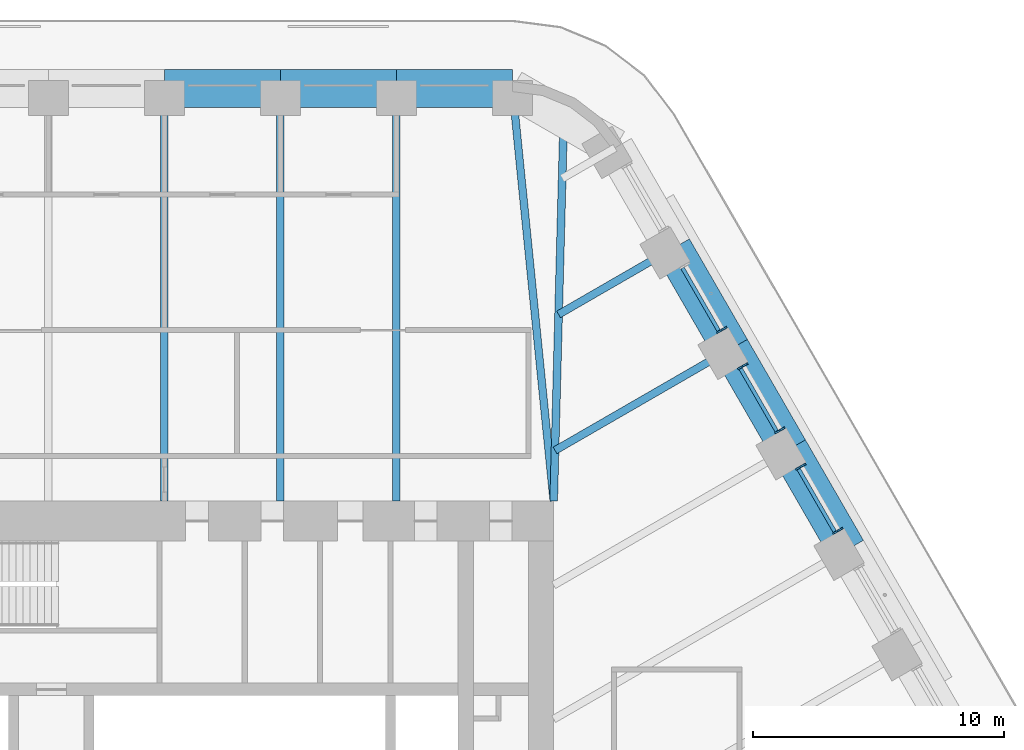
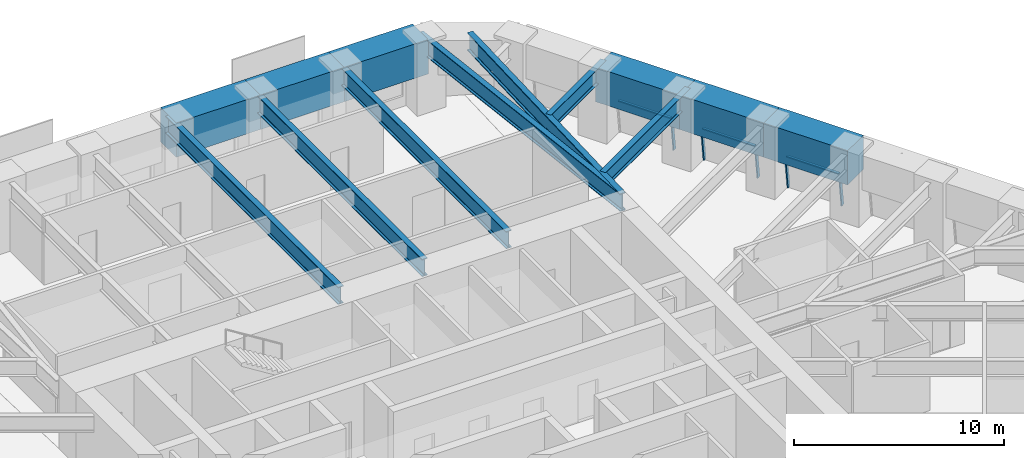
# One storey, part 11 of 20: 13 beams, 8 members, 3 elements without a shape of their own.
"""IFC4 building model written with IfcOpenShell, lengths in metres."""

from ifc_helpers import new_model, si_unit, direction, frame, origin, origin_2d, place, context, subcontext, project, spatial, rectangle, i_section, extrude, material, material_profile, profile_set, type_object, element, aggregate, save


model = new_model("IFC4")

# Units and contexts
model_context = context("Model", 3, precision=1e-05, world=origin(), true_north=direction((0.0, 1.0)))
body_context = subcontext(model_context, "Body", "Model", "MODEL_VIEW")
ifc_project = project(units=[si_unit("LENGTHUNIT", "METRE"), si_unit("AREAUNIT", "SQUARE_METRE"), si_unit("VOLUMEUNIT", "CUBIC_METRE"), si_unit("PLANEANGLEUNIT", "RADIAN"), si_unit("MASSUNIT", "GRAM", prefix="KILO")], contexts=[model_context])

# Site, building, storey
site_placement = place(None, origin())
site = spatial("IfcSite", under=ifc_project, at=site_placement, CompositionType="ELEMENT")
building_placement = place(site_placement, origin())
building = spatial("IfcBuilding", under=site, at=building_placement, Name="Tarfa Lantern Tower", CompositionType="ELEMENT")
storey_placement = place(building_placement, frame((0.0, 0.0, 228.10009765625)))
storey = spatial("IfcBuildingStorey", under=building, at=storey_placement, Name="L51", CompositionType="ELEMENT", Elevation=228.10009765625)

# Curtain wall, members
ifc_material_1 = material(Name="Aluminium framed curtain wall", Category="aluminium")
curtain_wall_type = type_object("IfcCurtainWallType", Name="CW3 CANTED GLAZING HIGH ZONE 2000", PredefinedType="USERDEFINED", material=ifc_material_1)
curtain_wall_1_placement = place(storey_placement, origin())
curtain_wall_1 = element("IfcCurtainWall", 1, at=curtain_wall_1_placement, inside=storey, type_object=curtain_wall_type, Name="CW3 NE L51", ObjectType="CURTAIN WALL", PredefinedType="USERDEFINED")
ifc_material_2 = material(Name="Aluminium mullion", Category="aluminium")
ifc_material_profile_1 = material_profile(ifc_material_2, rectangle(XDim=0.06494140625, YDim=0.199951171875, at=origin_2d()), Name="AL MULLION 65x200")
ifc_profile_set_1 = profile_set([ifc_material_profile_1], Name="Aluminium mullion")
member_type_1 = type_object("IfcMemberType", Name="CWM1 MULLION 65x200", PredefinedType="MULLION", material=ifc_profile_set_1)
member_1_placement = place(storey_placement, frame((26.92138671875, 11.1708984375, 0.0), z_axis=(-0.107439978116, -0.062017213975, 0.992275423596), x_axis=(0.499919672301, -0.866071776036, 0.0)))
member_1 = element("IfcMember", 2, at=member_1_placement, type_object=member_type_1, Name="CW3 mullion 1", PredefinedType="MULLION", context=body_context, shape_type="SweptSolid", body=[
    extrude(rectangle(XDim=0.06494140625, YDim=0.199951171875, at=origin_2d()), origin(), (0.0, 0.0, 1.0), 2.015625),
])
member_2_placement = place(storey_placement, frame((25.4443359375, 13.72900390625, 0.0), z_axis=(-0.107439978116, -0.062017213975, 0.992275423596), x_axis=(0.499919672301, -0.866071776036, 0.0)))
member_2 = element("IfcMember", 3, at=member_2_placement, type_object=member_type_1, Name="CW3 mullion 2", PredefinedType="MULLION", context=body_context, shape_type="SweptSolid", body=[
    extrude(rectangle(XDim=0.06494140625, YDim=0.199951171875, at=origin_2d()), origin(), (0.0, 0.0, 1.0), 2.015625),
])

curtain_wall_2_placement = place(storey_placement, origin())
curtain_wall_2 = element("IfcCurtainWall", 4, at=curtain_wall_2_placement, inside=storey, type_object=curtain_wall_type, Name="CW3 NE L51", ObjectType="CURTAIN WALL", PredefinedType="USERDEFINED")
member_3_placement = place(storey_placement, frame((24.61181640625, 15.1708984375, 0.0), z_axis=(-0.107439978116, -0.062017213975, 0.992275423596), x_axis=(0.499919672301, -0.866071776036, 0.0)))
member_3 = element("IfcMember", 5, at=member_3_placement, type_object=member_type_1, Name="CW3 mullion 1", PredefinedType="MULLION", context=body_context, shape_type="SweptSolid", body=[
    extrude(rectangle(XDim=0.06494140625, YDim=0.199951171875, at=origin_2d()), origin(), (0.0, 0.0, 1.0), 2.015625),
])
member_4_placement = place(storey_placement, frame((23.135009765625, 17.72900390625, 0.0), z_axis=(-0.107439978116, -0.062017213975, 0.992275423596), x_axis=(0.499919672301, -0.866071776036, 0.0)))
member_4 = element("IfcMember", 6, at=member_4_placement, type_object=member_type_1, Name="CW3 mullion 2", PredefinedType="MULLION", context=body_context, shape_type="SweptSolid", body=[
    extrude(rectangle(XDim=0.06494140625, YDim=0.199951171875, at=origin_2d()), origin(), (0.0, 0.0, 1.0), 2.015625),
])

# Curtain wall, member
curtain_wall_3_placement = place(storey_placement, origin())
curtain_wall_3 = element("IfcCurtainWall", 7, at=curtain_wall_3_placement, inside=storey, type_object=curtain_wall_type, Name="CW3 NE L51", ObjectType="CURTAIN WALL", PredefinedType="USERDEFINED")
member_5_placement = place(storey_placement, frame((22.302490234375, 19.1708984375, 0.0), z_axis=(-0.107439978116, -0.062017213975, 0.992275423596), x_axis=(0.499919672301, -0.866071776036, 0.0)))
member_5 = element("IfcMember", 8, at=member_5_placement, type_object=member_type_1, Name="CW3 mullion 1", PredefinedType="MULLION", context=body_context, shape_type="SweptSolid", body=[
    extrude(rectangle(XDim=0.06494140625, YDim=0.199951171875, at=origin_2d()), origin(), (0.0, 0.0, 1.0), 2.015625),
])

# Member
ifc_material_3 = material(Name="Aluminium transom", Category="aluminium")
ifc_material_profile_2 = material_profile(ifc_material_3, rectangle(XDim=0.14990234375, YDim=0.06494140625, at=origin_2d()), Name="AL TRANSOM 150x65")
ifc_profile_set_2 = profile_set([ifc_material_profile_2], Name="Aluminium transom")
member_type_2 = type_object("IfcMemberType", Name="CWT1 TRANSOM 150x65", PredefinedType="USERDEFINED", material=ifc_profile_set_2)
member_6_placement = place(storey_placement, frame((26.692138671875, 11.076171875, 1.96728515625), z_axis=(-0.500056524144, 0.865992767095, 0.0), x_axis=(-0.865992767095, -0.500056524144, 0.0)))
member_6 = element("IfcMember", 9, at=member_6_placement, type_object=member_type_2, Name="CW3 transom 1.2", ObjectType="TRANSOM", PredefinedType="USERDEFINED", context=body_context, shape_type="SweptSolid", body=[
    extrude(rectangle(XDim=0.14990234375, YDim=0.06494140625, at=origin_2d()), origin(), (0.0, 0.0, 1.0), 2.888916015625),
])

aggregate(curtain_wall_1, [member_1, member_2, member_6])

member_7_placement = place(storey_placement, frame((24.382568359375, 15.076171875, 1.96728515625), z_axis=(-0.499993141028, 0.866029363778, 0.0), x_axis=(-0.866029363778, -0.499993141028, 0.0)))
member_7 = element("IfcMember", 10, at=member_7_placement, type_object=member_type_2, Name="CW3 transom 1.2", ObjectType="TRANSOM", PredefinedType="USERDEFINED", context=body_context, shape_type="SweptSolid", body=[
    extrude(rectangle(XDim=0.14990234375, YDim=0.06494140625, at=origin_2d()), origin(), (0.0, 0.0, 1.0), 2.888671875),
])

aggregate(curtain_wall_2, [member_3, member_4, member_7])

member_8_placement = place(storey_placement, frame((22.0732421875, 19.076171875, 1.96728515625), z_axis=(-0.499993141028, 0.866029363778, 0.0), x_axis=(-0.866029363778, -0.499993141028, 0.0)))
member_8 = element("IfcMember", 11, at=member_8_placement, type_object=member_type_2, Name="CW3 transom 1.2", ObjectType="TRANSOM", PredefinedType="USERDEFINED", context=body_context, shape_type="SweptSolid", body=[
    extrude(rectangle(XDim=0.14990234375, YDim=0.06494140625, at=origin_2d()), origin(), (0.0, 0.0, 1.0), 2.888671875),
])

aggregate(curtain_wall_3, [member_5, member_8])

# Beams
ifc_material_4 = material(Name="Concrete C80/95", Category="concrete")
ifc_material_profile_3 = material_profile(ifc_material_4, rectangle(XDim=1.5, YDim=2.0, at=origin_2d()), Name="RC 1500x2000")
ifc_profile_set_3 = profile_set([ifc_material_profile_3], Name="Concrete C80/95")
beam_type_1 = type_object("IfcBeamType", Name="RB3 RC 1500x2000", PredefinedType="BEAM", material=ifc_profile_set_3)
beam_1_placement = place(storey_placement, frame((27.181640625, 10.360107421875, 3.0), z_axis=(-0.499987836815, 0.866032426089, 0.0), x_axis=(-0.866032426089, -0.499987836815, 0.0)))
element("IfcBeam", 12, at=beam_1_placement, inside=storey, type_object=beam_type_1, Name="Edge beam NE2", PredefinedType="BEAM", context=body_context, shape_type="SweptSolid", body=[
    extrude(rectangle(XDim=1.5, YDim=2.0, at=origin_2d()), origin(), (0.0, 0.0, 1.0), 4.61865234375),
])
beam_2_placement = place(storey_placement, frame((24.872314453125, 14.360107421875, 3.0), z_axis=(-0.500027479704, 0.866009537788, 0.0), x_axis=(-0.866009537788, -0.500027479704, 0.0)))
element("IfcBeam", 13, at=beam_2_placement, inside=storey, type_object=beam_type_1, Name="Edge beam NE3", PredefinedType="BEAM", context=body_context, shape_type="SweptSolid", body=[
    extrude(rectangle(XDim=1.5, YDim=2.0, at=origin_2d()), origin(), (0.0, 0.0, 1.0), 4.618896484375),
])
beam_3_placement = place(storey_placement, frame((22.562744140625, 18.360107421875, 3.0), z_axis=(-0.499987836815, 0.866032426089, 0.0), x_axis=(-0.866032426089, -0.499987836815, 0.0)))
element("IfcBeam", 14, at=beam_3_placement, inside=storey, type_object=beam_type_1, Name="Edge beam NE4", PredefinedType="BEAM", context=body_context, shape_type="SweptSolid", body=[
    extrude(rectangle(XDim=1.5, YDim=2.0, at=origin_2d()), origin(), (0.0, 0.0, 1.0), 4.61865234375),
])
beam_4_placement = place(storey_placement, frame((13.8564453125, 28.719970703125, 3.0), z_axis=(-1.0, 0.0, 0.0), x_axis=(0.0, -1.0, 0.0)))
element("IfcBeam", 15, at=beam_4_placement, inside=storey, type_object=beam_type_1, Name="Edge beam N0", PredefinedType="BEAM", context=body_context, shape_type="SweptSolid", body=[
    extrude(rectangle(XDim=1.5, YDim=2.0, at=origin_2d()), origin(), (0.0, 0.0, 1.0), 4.618896484375),
])
beam_5_placement = place(storey_placement, frame((9.237548828125, 28.719970703125, 3.0), z_axis=(-1.0, 0.0, 0.0), x_axis=(0.0, -1.0, 0.0)))
element("IfcBeam", 16, at=beam_5_placement, inside=storey, type_object=beam_type_1, Name="Edge beam N1", PredefinedType="BEAM", context=body_context, shape_type="SweptSolid", body=[
    extrude(rectangle(XDim=1.5, YDim=2.0, at=origin_2d()), origin(), (0.0, 0.0, 1.0), 4.61865234375),
])
beam_6_placement = place(storey_placement, frame((4.618896484375, 28.719970703125, 3.0), z_axis=(-1.0, 0.0, 0.0), x_axis=(0.0, -1.0, 0.0)))
element("IfcBeam", 17, at=beam_6_placement, inside=storey, type_object=beam_type_1, Name="Edge beam N2", PredefinedType="BEAM", context=body_context, shape_type="SweptSolid", body=[
    extrude(rectangle(XDim=1.5, YDim=2.0, at=origin_2d()), origin(), (0.0, 0.0, 1.0), 4.618896484375),
])
ifc_material_5 = material(Name="Steel S460M", Category="steel")
ifc_material_profile_4 = material_profile(ifc_material_5, i_section(OverallWidth=0.302001953125, OverallDepth=1.008056640625, WebThickness=0.02099609375, FlangeThickness=0.0400390625, FilletRadius=0.030029296875, at=origin_2d()), Name="UB1016x305x349")
ifc_profile_set_4 = profile_set([ifc_material_profile_4], Name="Steel S460M")
beam_type_2 = type_object("IfcBeamType", Name="UB1016x305x349", PredefinedType="BEAM", material=ifc_profile_set_4)
beam_7_placement = place(storey_placement, frame((13.8564453125, 28.719970703125, 3.495849609375), z_axis=(0.099597466746, -0.995027810977, 0.0), x_axis=(0.995027810977, 0.099597466746, 0.0)))
element("IfcBeam", 18, at=beam_7_placement, inside=storey, type_object=beam_type_2, Name="Floor beam N0", PredefinedType="BEAM", context=body_context, shape_type="SweptSolid", body=[
    extrude(i_section(OverallWidth=0.302001953125, OverallDepth=1.008056640625, WebThickness=0.02099609375, FlangeThickness=0.0400390625, FilletRadius=0.030029296875, at=origin_2d()), origin(), (0.0, 0.0, 1.0), 16.501953125),
])
for number, where, z_axis, x_axis, name in (
    (19, (9.237548828125, 28.719970703125, 3.495849609375), (0.0, -1.0, 0.0), (1.0, 0.0, 0.0), "Floor beam N1"),
    (20, (4.618896484375, 28.719970703125, 3.495849609375), (0.0, -1.0, 0.0), (1.0, 0.0, 0.0), "Floor beam N2"),
    (21, (0.0, 28.719970703125, 3.495849609375), (0.0, -1.0, 0.0), (1.0, 0.0, 0.0), "Floor beam N3"),
):
    element("IfcBeam", number, at=place(storey_placement, frame(where, z_axis=z_axis, x_axis=x_axis)), inside=storey, type_object=beam_type_2, Name=name, PredefinedType="BEAM", context=body_context, shape_type="SweptSolid", body=[
        extrude(i_section(OverallWidth=0.302001953125, OverallDepth=1.008056640625, WebThickness=0.02099609375, FlangeThickness=0.0400390625, FilletRadius=0.030029296875, at=origin_2d()), origin(), (0.0, 0.0, 1.0), 16.419921875),
    ])
ifc_material_profile_5 = material_profile(ifc_material_5, i_section(OverallWidth=0.30859375, OverallDepth=1.036376953125, WebThickness=0.030029296875, FlangeThickness=0.05419921875, FilletRadius=0.030029296875, at=origin_2d()), Name="UB1016x305x487")
ifc_profile_set_5 = profile_set([ifc_material_profile_5], Name="Steel S460M")
beam_type_3 = type_object("IfcBeamType", Name="UB1016x305x487", PredefinedType="BEAM", material=ifc_profile_set_5)
beam_8_placement = place(storey_placement, frame((15.5, 12.300048828125, 3.481689453125), z_axis=(0.026247301989, 0.999655480222, 0.0), x_axis=(-0.999655480222, 0.026247301989, 0.0)))
element("IfcBeam", 22, at=beam_8_placement, inside=storey, type_object=beam_type_3, Name="Hip girder NE", PredefinedType="BEAM", context=body_context, shape_type="SweptSolid", body=[
    extrude(i_section(OverallWidth=0.30859375, OverallDepth=1.036376953125, WebThickness=0.030029296875, FlangeThickness=0.05419921875, FilletRadius=0.030029296875, at=origin_2d()), origin(), (0.0, 0.0, 1.0), 15.245361328125),
])
ifc_material_profile_6 = material_profile(ifc_material_5, i_section(OverallWidth=0.305419921875, OverallDepth=0.91845703125, WebThickness=0.017333984375, FlangeThickness=0.02783203125, FilletRadius=0.01904296875, at=origin_2d()), Name="UB914x305x253")
ifc_profile_set_6 = profile_set([ifc_material_profile_6], Name="Steel S460M")
beam_type_4 = type_object("IfcBeamType", Name="UB914x305x253", PredefinedType="BEAM", material=ifc_profile_set_6)
beam_9_placement = place(storey_placement, frame((22.562744140625, 18.360107421875, 3.540771484375), z_axis=(-0.866010787764, -0.500025314835, 0.0), x_axis=(0.500025314835, -0.866010787764, 0.0)))
element("IfcBeam", 23, at=beam_9_placement, inside=storey, type_object=beam_type_4, Name="Floor beam NE4", PredefinedType="BEAM", context=body_context, shape_type="SweptSolid", body=[
    extrude(i_section(OverallWidth=0.305419921875, OverallDepth=0.91845703125, WebThickness=0.017333984375, FlangeThickness=0.02783203125, FilletRadius=0.01904296875, at=origin_2d()), origin(), (0.0, 0.0, 1.0), 8.09423828125),
])
beam_10_placement = place(storey_placement, frame((20.25341796875, 22.360107421875, 3.540771484375), z_axis=(-0.86601951648, -0.500010196972, 0.0), x_axis=(0.500010196972, -0.86601951648, 0.0)))
element("IfcBeam", 24, at=beam_10_placement, inside=storey, type_object=beam_type_4, Name="Floor beam NE5", PredefinedType="BEAM", context=body_context, shape_type="SweptSolid", body=[
    extrude(i_section(OverallWidth=0.305419921875, OverallDepth=0.91845703125, WebThickness=0.017333984375, FlangeThickness=0.02783203125, FilletRadius=0.01904296875, at=origin_2d()), origin(), (0.0, 0.0, 1.0), 5.263671875),
])

save(model, "model.ifc")
